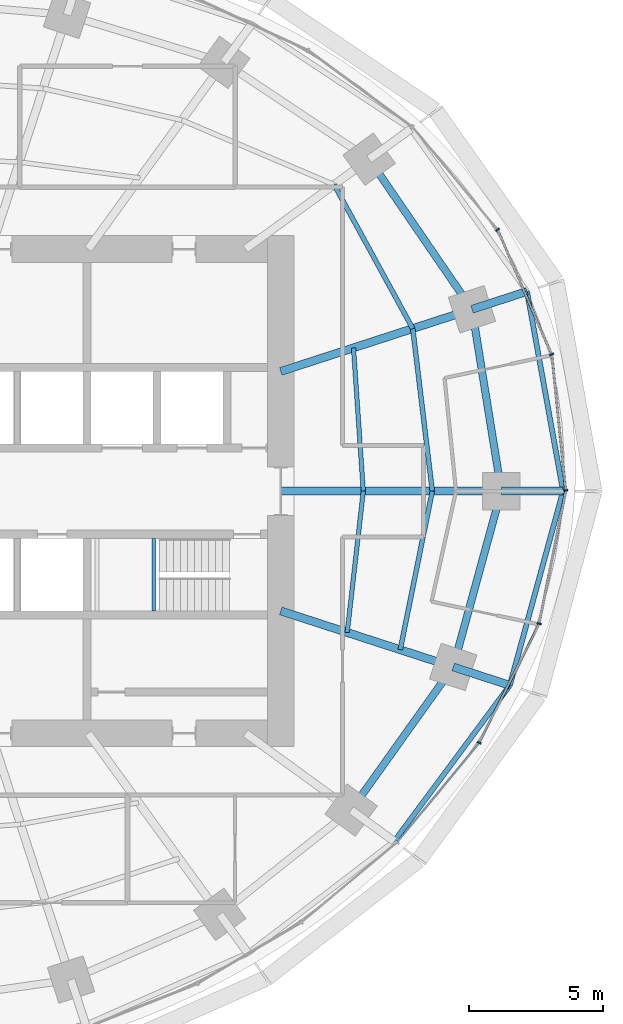
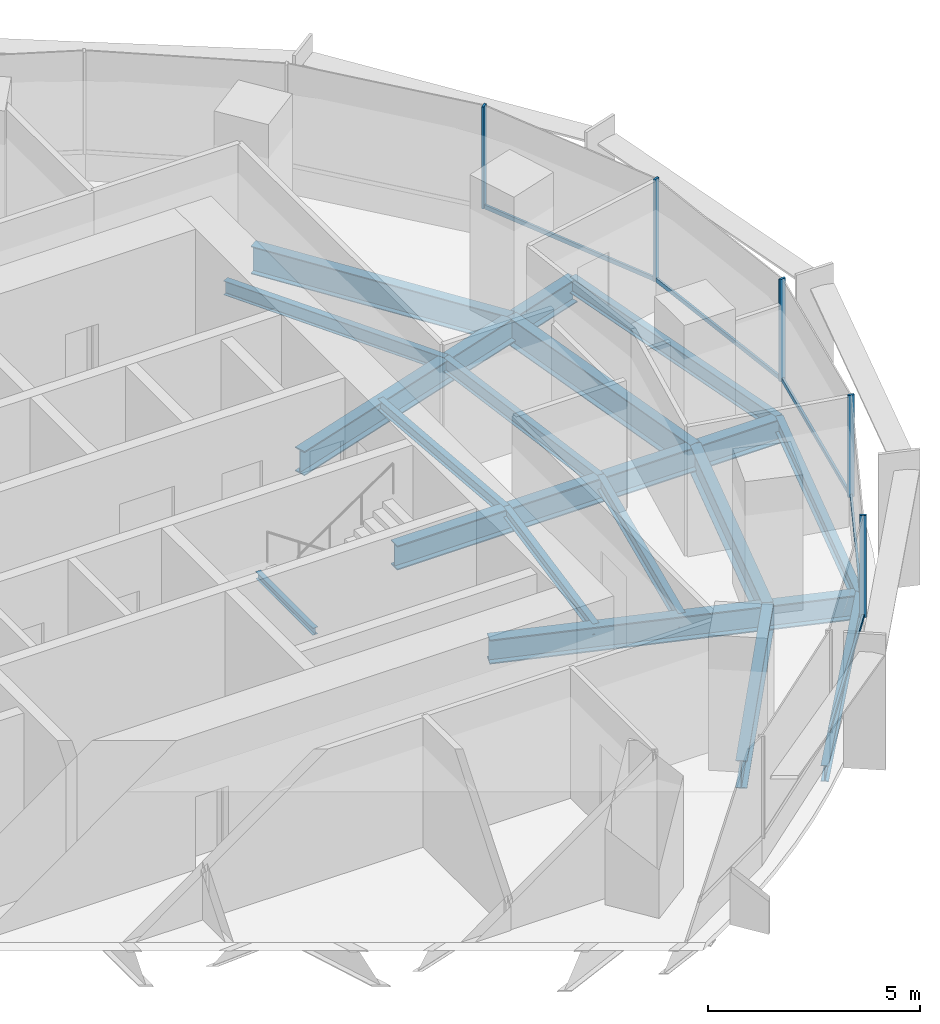
# One storey, part 6 of 14: 19 beams, 10 members, 2 elements without a shape of their own.
"""IFC4 building model written with IfcOpenShell, lengths in metres."""

from ifc_helpers import new_model, si_unit, direction, frame, origin, origin_2d, place, context, subcontext, project, spatial, rectangle, i_section, extrude, material, material_profile, profile_set, type_object, element, aggregate, save


model = new_model("IFC4")

# Units and contexts
model_context = context("Model", 3, precision=1e-05, world=origin(), true_north=direction((0.0, 1.0)))
body_context = subcontext(model_context, "Body", "Model", "MODEL_VIEW")
ifc_project = project(units=[si_unit("LENGTHUNIT", "METRE"), si_unit("AREAUNIT", "SQUARE_METRE"), si_unit("VOLUMEUNIT", "CUBIC_METRE"), si_unit("PLANEANGLEUNIT", "RADIAN"), si_unit("MASSUNIT", "GRAM", prefix="KILO")], contexts=[model_context])

# Site, building, storey
site_placement = place(None, origin())
site = spatial("IfcSite", under=ifc_project, at=site_placement, CompositionType="ELEMENT")
building_placement = place(site_placement, origin())
building = spatial("IfcBuilding", under=site, at=building_placement, Name="Marramba Exchange Tower", CompositionType="ELEMENT")
storey_placement = place(building_placement, frame((0.0, 0.0, 179.89990234375)))
storey = spatial("IfcBuildingStorey", under=building, at=storey_placement, Name="L43", CompositionType="ELEMENT", Elevation=179.89990234375)

# Beams
ifc_material_1 = material(Name="Steel AS/NZS 3679.2 grade 300", Category="steel")
ifc_material_profile_1 = material_profile(ifc_material_1, i_section(OverallWidth=0.300048828125, OverallDepth=0.699951171875, WebThickness=0.010009765625, FlangeThickness=0.031982421875, at=origin_2d()), Name="700WB173")
ifc_profile_set_1 = profile_set([ifc_material_profile_1], Name="Steel AS/NZS 3679.2 grade 300")
beam_type_1 = type_object("IfcBeamType", Name="Cantilever girder 700WB173", PredefinedType="BEAM", material=ifc_profile_set_1)
beam_1_placement = place(storey_placement, frame((21.89990234375, 0.0, -0.510009765625), z_axis=(1.0, 0.0, 0.0), x_axis=(0.0, 1.0, 0.0)))
element("IfcBeam", 1, at=beam_1_placement, inside=storey, type_object=beam_type_1, Name="Cantilever girder L43 TC01", PredefinedType="BEAM", context=body_context, shape_type="SweptSolid", body=[
    extrude(i_section(OverallWidth=0.300048828125, OverallDepth=0.699951171875, WebThickness=0.010009765625, FlangeThickness=0.031982421875, at=origin_2d()), origin(), (0.0, 0.0, 1.0), 2.294189453125),
])
beam_2_placement = place(storey_placement, frame((20.808349609375, 6.760986328125, -0.510009765625), z_axis=(0.951051587859, 0.309032162129, 0.0), x_axis=(-0.309032162129, 0.951051587859, 0.0)))
element("IfcBeam", 2, at=beam_2_placement, inside=storey, type_object=beam_type_1, Name="Cantilever girder L43 TC02", PredefinedType="BEAM", context=body_context, shape_type="SweptSolid", body=[
    extrude(i_section(OverallWidth=0.300048828125, OverallDepth=0.699951171875, WebThickness=0.010009765625, FlangeThickness=0.031982421875, at=origin_2d()), origin(), (0.0, 0.0, 1.0), 2.150390625),
])
beam_3_placement = place(storey_placement, frame((20.109375, -6.533935546875, -0.510009765625), z_axis=(0.951050283347, -0.309036176758, 0.0), x_axis=(0.309036176758, 0.951050283347, 0.0)))
element("IfcBeam", 3, at=beam_3_placement, inside=storey, type_object=beam_type_1, Name="Cantilever girder L43 TC20", PredefinedType="BEAM", context=body_context, shape_type="SweptSolid", body=[
    extrude(i_section(OverallWidth=0.300048828125, OverallDepth=0.699951171875, WebThickness=0.010009765625, FlangeThickness=0.031982421875, at=origin_2d()), origin(), (0.0, 0.0, 1.0), 2.212890625),
])
ifc_material_2 = material(Name="Steel AS/NZS 3679.1 grade 300", Category="steel")
ifc_material_profile_2 = material_profile(ifc_material_2, i_section(OverallWidth=0.166015625, OverallDepth=0.306884765625, WebThickness=0.006591796875, FlangeThickness=0.01171875, FilletRadius=0.011474609375, at=origin_2d()), Name="310UB46.2")
ifc_profile_set_2 = profile_set([ifc_material_profile_2], Name="Steel AS/NZS 3679.1 grade 300")
beam_type_2 = type_object("IfcBeamType", Name="Floor joist 310UB46.2", PredefinedType="JOIST", material=ifc_profile_set_2)
beam_4_placement = place(storey_placement, frame((16.7666015625, 0.0, -0.3134765625), z_axis=(-0.068096259546, 0.99767875563, 0.0), x_axis=(-0.99767875563, -0.068096259546, 0.0)))
element("IfcBeam", 4, at=beam_4_placement, inside=storey, type_object=beam_type_2, Name="Joist L43 bay 01 row 1", PredefinedType="JOIST", context=body_context, shape_type="SweptSolid", body=[
    extrude(i_section(OverallWidth=0.166015625, OverallDepth=0.306884765625, WebThickness=0.006591796875, FlangeThickness=0.01171875, FilletRadius=0.011474609375, at=origin_2d()), origin(), (0.0, 0.0, 1.0), 5.342041015625),
])
beam_5_placement = place(storey_placement, frame((16.169677734375, -5.25390625, -0.3134765625), z_axis=(0.112888968594, 0.993607609054, 0.0), x_axis=(-0.993607609054, 0.112888968594, 0.0)))
element("IfcBeam", 5, at=beam_5_placement, inside=storey, type_object=beam_type_2, Name="Joist L43 bay 20 row 1", PredefinedType="JOIST", context=body_context, shape_type="SweptSolid", body=[
    extrude(i_section(OverallWidth=0.166015625, OverallDepth=0.306884765625, WebThickness=0.006591796875, FlangeThickness=0.01171875, FilletRadius=0.011474609375, at=origin_2d()), origin(), (0.0, 0.0, 1.0), 5.28759765625),
])
ifc_material_profile_3 = material_profile(ifc_material_2, i_section(OverallWidth=0.177978515625, OverallDepth=0.406005859375, WebThickness=0.0078125, FlangeThickness=0.0126953125, FilletRadius=0.011474609375, at=origin_2d()), Name="410UB59.7")
ifc_profile_set_3 = profile_set([ifc_material_profile_3], Name="Steel AS/NZS 3679.1 grade 300")
beam_type_3 = type_object("IfcBeamType", Name="Floor joist 410UB59.7", PredefinedType="JOIST", material=ifc_profile_set_3)
beam_6_placement = place(storey_placement, frame((19.333251953125, 0.0, -0.36279296875), z_axis=(-0.119523078538, 0.992831422597, 0.0), x_axis=(-0.992831422597, -0.119523078538, 0.0)))
element("IfcBeam", 6, at=beam_6_placement, inside=storey, type_object=beam_type_3, Name="Joist L43 bay 01 row 2", PredefinedType="JOIST", context=body_context, shape_type="SweptSolid", body=[
    extrude(i_section(OverallWidth=0.177978515625, OverallDepth=0.406005859375, WebThickness=0.0078125, FlangeThickness=0.0126953125, FilletRadius=0.011474609375, at=origin_2d()), origin(), (0.0, 0.0, 1.0), 6.089111328125),
])
beam_7_placement = place(storey_placement, frame((18.60546875, 6.04541015625, -0.36279296875), z_axis=(-0.479584443791, 0.877495732909, 0.0), x_axis=(-0.877495732909, -0.479584443791, 0.0)))
element("IfcBeam", 7, at=beam_7_placement, inside=storey, type_object=beam_type_3, Name="Joist L43 bay 02 row 2", PredefinedType="JOIST", context=body_context, shape_type="SweptSolid", body=[
    extrude(i_section(OverallWidth=0.177978515625, OverallDepth=0.406005859375, WebThickness=0.0078125, FlangeThickness=0.0126953125, FilletRadius=0.011474609375, at=origin_2d()), origin(), (0.0, 0.0, 1.0), 6.094970703125),
])
beam_8_placement = place(storey_placement, frame((18.1396484375, -5.893798828125, -0.36279296875), z_axis=(0.198489047047, 0.980103105904, 0.0), x_axis=(-0.980103105904, 0.198489047047, 0.0)))
element("IfcBeam", 8, at=beam_8_placement, inside=storey, type_object=beam_type_3, Name="Joist L43 bay 20 row 2", PredefinedType="JOIST", context=body_context, shape_type="SweptSolid", body=[
    extrude(i_section(OverallWidth=0.177978515625, OverallDepth=0.406005859375, WebThickness=0.0078125, FlangeThickness=0.0126953125, FilletRadius=0.011474609375, at=origin_2d()), origin(), (0.0, 0.0, 1.0), 6.013427734375),
])

# Curtain wall, members
ifc_material_3 = material(Name="Aluminium framing, bronze anodised", Category="aluminium")
curtain_wall_type = type_object("IfcCurtainWallType", Name="Office ribbon curtain wall", PredefinedType="USERDEFINED", material=ifc_material_3)
curtain_wall_1_placement = place(storey_placement, origin())
curtain_wall_1 = element("IfcCurtainWall", 9, at=curtain_wall_1_placement, inside=storey, type_object=curtain_wall_type, Name="Curtain wall CW4 L43 F01-F05", ObjectType="RIBBON CURTAIN WALL", PredefinedType="USERDEFINED")
ifc_material_4 = material(Name="Aluminium mullion, bronze anodised", Category="aluminium")
ifc_material_profile_4 = material_profile(ifc_material_4, rectangle(XDim=0.159912109375, YDim=0.06005859375, at=origin_2d()), Name="CW4 mullion 60x160")
ifc_profile_set_4 = profile_set([ifc_material_profile_4], Name="Aluminium mullion, bronze anodised")
member_type_1 = type_object("IfcMemberType", Name="Office ribbon curtain wall mullion", PredefinedType="MULLION", material=ifc_profile_set_4)
member_1_placement = place(storey_placement, frame((24.291015625, 0.02978515625, 0.800048828125), z_axis=(0.0, 0.0, 1.0), x_axis=(-0.994843446001, -0.101422472607, 0.0)))
member_1 = element("IfcMember", 10, at=member_1_placement, type_object=member_type_1, Name="CW4 mullion 1", PredefinedType="MULLION", context=body_context, shape_type="SweptSolid", body=[
    extrude(rectangle(XDim=0.159912109375, YDim=0.06005859375, at=origin_2d()), origin(), (0.0, 0.0, 1.0), 2.93994140625),
])
member_2_placement = place(storey_placement, frame((23.766845703125, 5.081787109375, 0.800048828125), z_axis=(0.0, 0.0, 1.0), x_axis=(-0.918167104527, -0.396193346946, 0.0)))
member_2 = element("IfcMember", 11, at=member_2_placement, type_object=member_type_1, Name="CW4 mullion 1", PredefinedType="MULLION", context=body_context, shape_type="SweptSolid", body=[
    extrude(rectangle(XDim=0.159912109375, YDim=0.06005859375, at=origin_2d()), origin(), (0.0, 0.0, 1.0), 2.93994140625),
])
member_3_placement = place(storey_placement, frame((21.757080078125, 9.718505859375, 0.800048828125), z_axis=(0.0, 0.0, 1.0), x_axis=(-0.770574258342, -0.637350227411, 0.0)))
member_3 = element("IfcMember", 12, at=member_3_placement, type_object=member_type_1, Name="CW4 mullion 1", PredefinedType="MULLION", context=body_context, shape_type="SweptSolid", body=[
    extrude(rectangle(XDim=0.159912109375, YDim=0.06005859375, at=origin_2d()), origin(), (0.0, 0.0, 1.0), 2.93994140625),
])

curtain_wall_2_placement = place(storey_placement, origin())
curtain_wall_2 = element("IfcCurtainWall", 13, at=curtain_wall_2_placement, inside=storey, type_object=curtain_wall_type, Name="Curtain wall CW4 L43 F26-F30", ObjectType="RIBBON CURTAIN WALL", PredefinedType="USERDEFINED")
member_4_placement = place(storey_placement, frame((21.07568359375, -9.3505859375, 0.800048828125), z_axis=(0.0, 0.0, 1.0), x_axis=(-0.892689067591, 0.450673083956, 0.0)))
member_4 = element("IfcMember", 14, at=member_4_placement, type_object=member_type_1, Name="CW4 mullion 1", PredefinedType="MULLION", context=body_context, shape_type="SweptSolid", body=[
    extrude(rectangle(XDim=0.159912109375, YDim=0.06005859375, at=origin_2d()), origin(), (0.0, 0.0, 1.0), 2.93994140625),
])
member_5_placement = place(storey_placement, frame((23.30224609375, -4.92236328125, 0.800048828125), z_axis=(0.0, 0.0, 1.0), x_axis=(-0.980303812539, 0.197495405316, 0.0)))
member_5 = element("IfcMember", 15, at=member_5_placement, type_object=member_type_1, Name="CW4 mullion 1", PredefinedType="MULLION", context=body_context, shape_type="SweptSolid", body=[
    extrude(rectangle(XDim=0.159912109375, YDim=0.06005859375, at=origin_2d()), origin(), (0.0, 0.0, 1.0), 2.93994140625),
])

# Member
ifc_material_5 = material(Name="Aluminium transom, bronze anodised", Category="aluminium")
ifc_material_profile_5 = material_profile(ifc_material_5, rectangle(XDim=0.06005859375, YDim=0.1201171875, at=origin_2d()), Name="CW4 transom 60x120")
ifc_profile_set_5 = profile_set([ifc_material_profile_5], Name="Aluminium transom, bronze anodised")
member_type_2 = type_object("IfcMemberType", Name="Office ribbon curtain wall transom", PredefinedType="USERDEFINED", material=ifc_profile_set_5)
member_6_placement = place(storey_placement, frame((24.287841796875, 0.0595703125, 0.830078125), z_axis=(-0.101386007846, 0.994847162841, 0.0), x_axis=(-0.994847162841, -0.101386007846, 0.0)))
member_6 = element("IfcMember", 16, at=member_6_placement, type_object=member_type_2, Name="CW4 sill transom", ObjectType="TRANSOM", PredefinedType="USERDEFINED", context=body_context, shape_type="SweptSolid", body=[
    extrude(rectangle(XDim=0.06005859375, YDim=0.1201171875, at=origin_2d()), origin(), (0.0, 0.0, 1.0), 5.020751953125),
])

member_7_placement = place(storey_placement, frame((23.7548828125, 5.109375, 0.830078125), z_axis=(-0.396177573744, 0.918173910576, 0.0), x_axis=(-0.918173910576, -0.396177573744, 0.0)))
member_7 = element("IfcMember", 17, at=member_7_placement, type_object=member_type_2, Name="CW4 sill transom", ObjectType="TRANSOM", PredefinedType="USERDEFINED", context=body_context, shape_type="SweptSolid", body=[
    extrude(rectangle(XDim=0.06005859375, YDim=0.1201171875, at=origin_2d()), origin(), (0.0, 0.0, 1.0), 4.99462890625),
])

aggregate(curtain_wall_1, [member_1, member_6, member_2, member_7, member_3])

member_8_placement = place(storey_placement, frame((18.03515625, -13.029296875, 0.830078125), z_axis=(0.638146908901, 0.76991462037, 0.0), x_axis=(-0.76991462037, 0.638146908901, 0.0)))
member_8 = element("IfcMember", 18, at=member_8_placement, type_object=member_type_2, Name="CW4 sill transom", ObjectType="TRANSOM", PredefinedType="USERDEFINED", context=body_context, shape_type="SweptSolid", body=[
    extrude(rectangle(XDim=0.06005859375, YDim=0.1201171875, at=origin_2d()), origin(), (0.0, 0.0, 1.0), 4.7431640625),
])

member_9_placement = place(storey_placement, frame((21.089111328125, -9.323974609375, 0.830078125), z_axis=(0.450679681949, 0.892685736572, 0.0), x_axis=(-0.892685736572, 0.450679681949, 0.0)))
member_9 = element("IfcMember", 19, at=member_9_placement, type_object=member_type_2, Name="CW4 sill transom", ObjectType="TRANSOM", PredefinedType="USERDEFINED", context=body_context, shape_type="SweptSolid", body=[
    extrude(rectangle(XDim=0.06005859375, YDim=0.1201171875, at=origin_2d()), origin(), (0.0, 0.0, 1.0), 4.897705078125),
])

member_10_placement = place(storey_placement, frame((23.308349609375, -4.89306640625, 0.830078125), z_axis=(0.197461053167, 0.980310732616, 0.0), x_axis=(-0.980310732616, 0.197461053167, 0.0)))
member_10 = element("IfcMember", 20, at=member_10_placement, type_object=member_type_2, Name="CW4 sill transom", ObjectType="TRANSOM", PredefinedType="USERDEFINED", context=body_context, shape_type="SweptSolid", body=[
    extrude(rectangle(XDim=0.06005859375, YDim=0.1201171875, at=origin_2d()), origin(), (0.0, 0.0, 1.0), 4.991455078125),
])

aggregate(curtain_wall_2, [member_8, member_4, member_9, member_5, member_10])

# Beams
ifc_material_profile_6 = material_profile(ifc_material_1, i_section(OverallWidth=0.300048828125, OverallDepth=0.699951171875, WebThickness=0.010009765625, FlangeThickness=0.031982421875, at=origin_2d()), Name="700WB173")
ifc_profile_set_6 = profile_set([ifc_material_profile_6], Name="Steel AS/NZS 3679.2 grade 300")
beam_type_4 = type_object("IfcBeamType", Name="Radial girder 700WB173", PredefinedType="BEAM", material=ifc_profile_set_6)
beam_9_placement = place(storey_placement, frame((13.699951171875, 0.0, -0.510009765625), z_axis=(1.0, 0.0, 0.0), x_axis=(0.0, 1.0, 0.0)))
element("IfcBeam", 21, at=beam_9_placement, inside=storey, type_object=beam_type_4, Name="Radial girder L43 TC01", PredefinedType="BEAM", context=body_context, shape_type="SweptSolid", body=[
    extrude(i_section(OverallWidth=0.300048828125, OverallDepth=0.699951171875, WebThickness=0.010009765625, FlangeThickness=0.031982421875, at=origin_2d()), origin(), (0.0, 0.0, 1.0), 8.199951171875),
])
beam_10_placement = place(storey_placement, frame((13.699951171875, 4.451416015625, -0.510009765625), z_axis=(0.951059990189, 0.309006302624, 0.0), x_axis=(-0.309006302624, 0.951059990189, 0.0)))
element("IfcBeam", 22, at=beam_10_placement, inside=storey, type_object=beam_type_4, Name="Radial girder L43 TC02", PredefinedType="BEAM", context=body_context, shape_type="SweptSolid", body=[
    extrude(i_section(OverallWidth=0.300048828125, OverallDepth=0.699951171875, WebThickness=0.010009765625, FlangeThickness=0.031982421875, at=origin_2d()), origin(), (0.0, 0.0, 1.0), 7.47412109375),
])
beam_11_placement = place(storey_placement, frame((13.699951171875, -4.451416015625, -0.510009765625), z_axis=(0.951057759669, -0.309013167637, 0.0), x_axis=(0.309013167637, 0.951057759669, 0.0)))
element("IfcBeam", 23, at=beam_11_placement, inside=storey, type_object=beam_type_4, Name="Radial girder L43 TC20", PredefinedType="BEAM", context=body_context, shape_type="SweptSolid", body=[
    extrude(i_section(OverallWidth=0.300048828125, OverallDepth=0.699951171875, WebThickness=0.010009765625, FlangeThickness=0.031982421875, at=origin_2d()), origin(), (0.0, 0.0, 1.0), 6.7392578125),
])
ifc_material_profile_7 = material_profile(ifc_material_1, i_section(OverallWidth=0.27490234375, OverallDepth=0.800048828125, WebThickness=0.010009765625, FlangeThickness=0.02490234375, at=origin_2d()), Name="800WB168")
ifc_profile_set_7 = profile_set([ifc_material_profile_7], Name="Steel AS/NZS 3679.2 grade 300")
beam_type_5 = type_object("IfcBeamType", Name="Ring beam 800WB168", PredefinedType="SPANDREL", material=ifc_profile_set_7)
beam_12_placement = place(storey_placement, frame((21.89990234375, 0.0, -0.559814453125), z_axis=(-0.159384865399, 0.987216523708, 0.0), x_axis=(-0.987216523708, -0.159384865399, 0.0)))
element("IfcBeam", 24, at=beam_12_placement, inside=storey, type_object=beam_type_5, Name="Ring beam L43 TC01-TC02", PredefinedType="SPANDREL", context=body_context, shape_type="SweptSolid", body=[
    extrude(i_section(OverallWidth=0.27490234375, OverallDepth=0.800048828125, WebThickness=0.010009765625, FlangeThickness=0.02490234375, at=origin_2d()), origin(), (0.0, 0.0, 1.0), 6.8486328125),
])
beam_13_placement = place(storey_placement, frame((20.808349609375, 6.760986328125, -0.559814453125), z_axis=(-0.56516002054, 0.824981303535, 0.0), x_axis=(-0.824981303535, -0.56516002054, 0.0)))
element("IfcBeam", 25, at=beam_13_placement, inside=storey, type_object=beam_type_5, Name="Ring beam L43 TC02-TC03", PredefinedType="SPANDREL", context=body_context, shape_type="SweptSolid", body=[
    extrude(i_section(OverallWidth=0.27490234375, OverallDepth=0.800048828125, WebThickness=0.010009765625, FlangeThickness=0.02490234375, at=origin_2d()), origin(), (0.0, 0.0, 1.0), 6.763671875),
])
beam_14_placement = place(storey_placement, frame((16.3154296875, -11.853759765625, -0.559814453125), z_axis=(0.580637181111, 0.814162430914, 0.0), x_axis=(-0.814162430914, 0.580637181111, 0.0)))
element("IfcBeam", 26, at=beam_14_placement, inside=storey, type_object=beam_type_5, Name="Ring beam L43 TC19-TC20", PredefinedType="SPANDREL", context=body_context, shape_type="SweptSolid", body=[
    extrude(i_section(OverallWidth=0.27490234375, OverallDepth=0.800048828125, WebThickness=0.010009765625, FlangeThickness=0.02490234375, at=origin_2d()), origin(), (0.0, 0.0, 1.0), 6.5341796875),
])
beam_15_placement = place(storey_placement, frame((20.109375, -6.533935546875, -0.559814453125), z_axis=(0.264291166956, 0.964442937176, 0.0), x_axis=(-0.964442937176, 0.264291166956, 0.0)))
element("IfcBeam", 27, at=beam_15_placement, inside=storey, type_object=beam_type_5, Name="Ring beam L43 TC20-TC01", PredefinedType="SPANDREL", context=body_context, shape_type="SweptSolid", body=[
    extrude(i_section(OverallWidth=0.27490234375, OverallDepth=0.800048828125, WebThickness=0.010009765625, FlangeThickness=0.02490234375, at=origin_2d()), origin(), (0.0, 0.0, 1.0), 6.77490234375),
])
ifc_material_profile_8 = material_profile(ifc_material_2, i_section(OverallWidth=0.19091796875, OverallDepth=0.4599609375, WebThickness=0.010009765625, FlangeThickness=0.01611328125, FilletRadius=0.011474609375, at=origin_2d()), Name="460UB82.1")
ifc_profile_set_8 = profile_set([ifc_material_profile_8], Name="Steel AS/NZS 3679.1 grade 300")
beam_type_6 = type_object("IfcBeamType", Name="Slab edge beam 460UB82.1", PredefinedType="SPANDREL", material=ifc_profile_set_8)
beam_16_placement = place(storey_placement, frame((24.194091796875, 0.0, -0.389892578125), z_axis=(-0.177663817107, 0.984091239719, 0.0), x_axis=(-0.984091239719, -0.177663817107, 0.0)))
element("IfcBeam", 28, at=beam_16_placement, inside=storey, type_object=beam_type_6, Name="Slab edge beam L43 TC01-TC02", PredefinedType="SPANDREL", context=body_context, shape_type="SweptSolid", body=[
    extrude(i_section(OverallWidth=0.19091796875, OverallDepth=0.4599609375, WebThickness=0.010009765625, FlangeThickness=0.01611328125, FilletRadius=0.011474609375, at=origin_2d()), origin(), (0.0, 0.0, 1.0), 7.545654296875),
])
beam_17_placement = place(storey_placement, frame((17.916015625, -13.016845703125, -0.389892578125), z_axis=(0.595428136035, 0.803408572781, 0.0), x_axis=(-0.803408572781, 0.595428136035, 0.0)))
element("IfcBeam", 29, at=beam_17_placement, inside=storey, type_object=beam_type_6, Name="Slab edge beam L43 TC19-TC20", PredefinedType="SPANDREL", context=body_context, shape_type="SweptSolid", body=[
    extrude(i_section(OverallWidth=0.19091796875, OverallDepth=0.4599609375, WebThickness=0.010009765625, FlangeThickness=0.01611328125, FilletRadius=0.011474609375, at=origin_2d()), origin(), (0.0, 0.0, 1.0), 7.218017578125),
])
beam_18_placement = place(storey_placement, frame((22.2138671875, -7.2177734375, -0.389892578125), z_axis=(0.264577205901, 0.964364506874, 0.0), x_axis=(-0.964364506874, 0.264577205901, 0.0)))
element("IfcBeam", 30, at=beam_18_placement, inside=storey, type_object=beam_type_6, Name="Slab edge beam L43 TC20-TC01", PredefinedType="SPANDREL", context=body_context, shape_type="SweptSolid", body=[
    extrude(i_section(OverallWidth=0.19091796875, OverallDepth=0.4599609375, WebThickness=0.010009765625, FlangeThickness=0.01611328125, FilletRadius=0.011474609375, at=origin_2d()), origin(), (0.0, 0.0, 1.0), 7.484375),
])
ifc_material_profile_9 = material_profile(ifc_material_2, i_section(OverallWidth=0.133056640625, OverallDepth=0.202880859375, WebThickness=0.005859375, FlangeThickness=0.0078125, FilletRadius=0.0087890625, at=origin_2d()), Name="200UB25.4")
ifc_profile_set_9 = profile_set([ifc_material_profile_9], Name="Steel AS/NZS 3679.1 grade 300")
beam_type_7 = type_object("IfcBeamType", Name="Stair landing beam 200UB25.4", PredefinedType="BEAM", material=ifc_profile_set_9)
beam_19_placement = place(storey_placement, frame((8.9833984375, -4.449951171875, 1.648681640625), z_axis=(0.0, 1.0, 0.0), x_axis=(-1.0, 0.0, 0.0)))
element("IfcBeam", 31, at=beam_19_placement, inside=storey, type_object=beam_type_7, Name="Stair landing beam SLB1 ST2 L43 2", PredefinedType="BEAM", context=body_context, shape_type="SweptSolid", body=[
    extrude(i_section(OverallWidth=0.133056640625, OverallDepth=0.202880859375, WebThickness=0.005859375, FlangeThickness=0.0078125, FilletRadius=0.0087890625, at=origin_2d()), origin(), (0.0, 0.0, 1.0), 2.699951171875),
])

save(model, "model.ifc")
